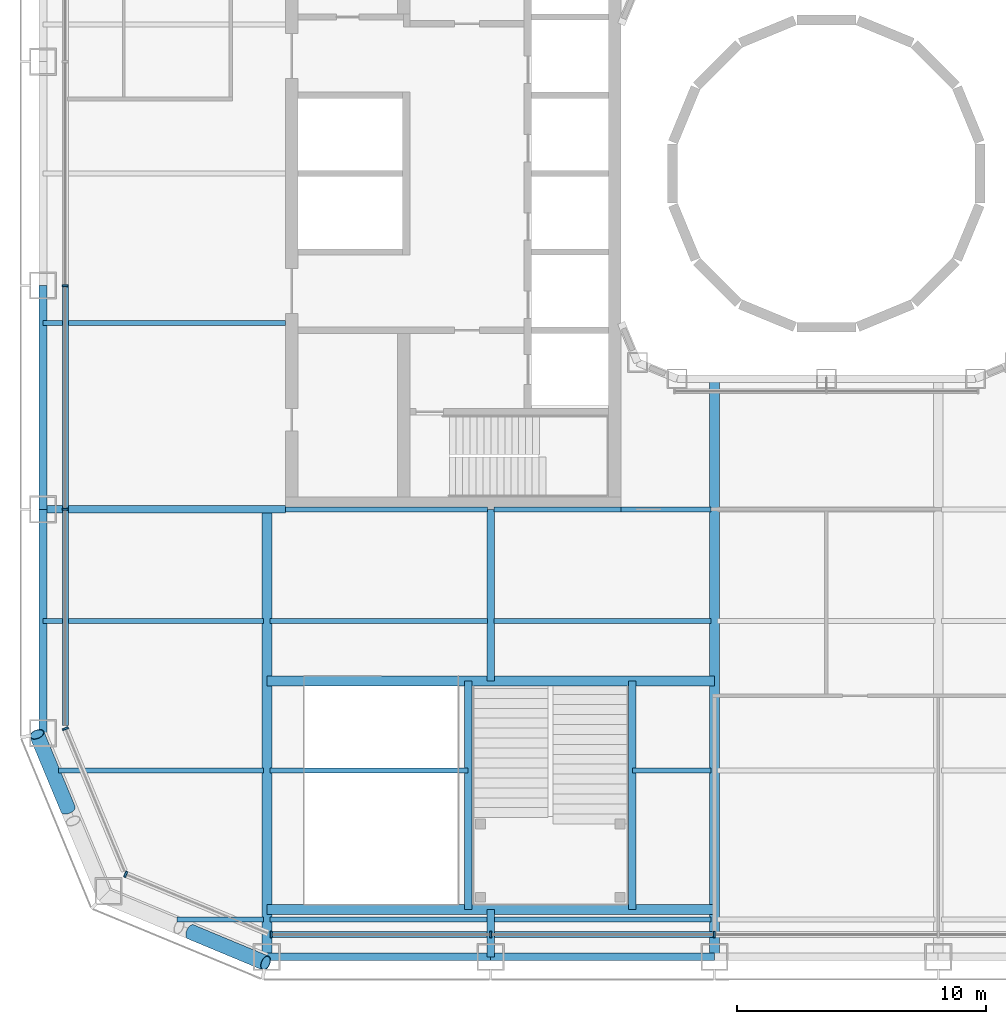
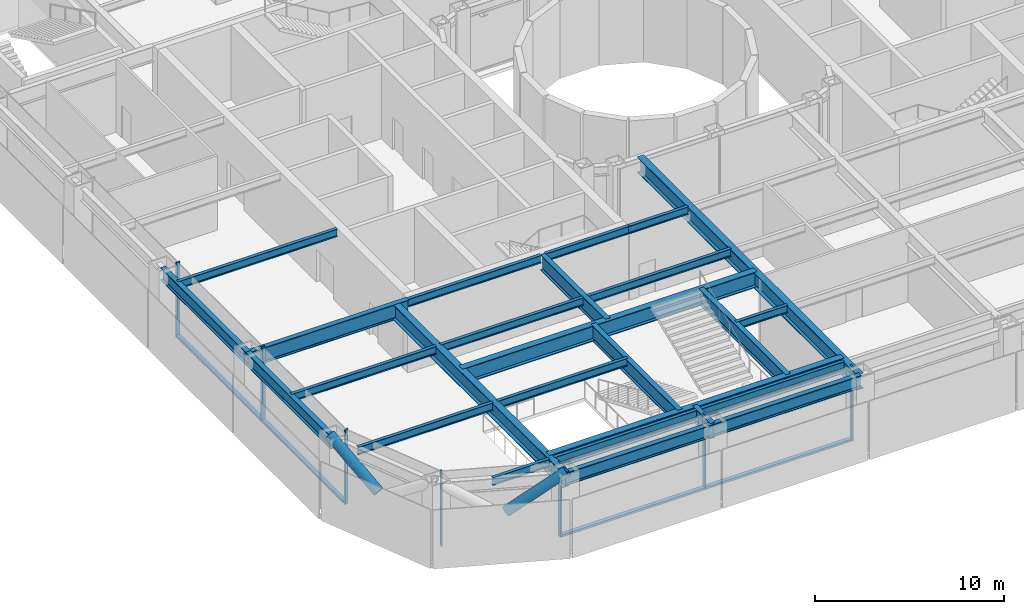
# One storey, part 2 of 25: 26 beams, 13 members, 4 elements without a shape of their own.
"""IFC4 building model written with IfcOpenShell, lengths in metres."""

from ifc_helpers import new_model, si_unit, direction, frame, origin, origin_2d, place, context, subcontext, project, spatial, rectangle, hollow_circle, i_section, extrude, material, layer, layer_set, material_profile, profile_set, type_object, element, aggregate, save


model = new_model("IFC4")

# Units and contexts
model_context = context("Model", 3, precision=1e-05, world=origin(), true_north=direction((0.0, 1.0)))
body_context = subcontext(model_context, "Body", "Model", "MODEL_VIEW")
ifc_project = project(units=[si_unit("LENGTHUNIT", "METRE"), si_unit("AREAUNIT", "SQUARE_METRE"), si_unit("VOLUMEUNIT", "CUBIC_METRE"), si_unit("PLANEANGLEUNIT", "RADIAN"), si_unit("MASSUNIT", "GRAM", prefix="KILO")], contexts=[model_context])

# Site, building, storey
site_placement = place(None, origin())
site = spatial("IfcSite", under=ifc_project, at=site_placement, CompositionType="ELEMENT")
building_placement = place(site_placement, origin())
building = spatial("IfcBuilding", under=site, at=building_placement, Name="Siwar Civic Tower", CompositionType="ELEMENT")
storey_placement = place(building_placement, frame((0.0, 0.0, 7.199951171875)))
storey = spatial("IfcBuildingStorey", under=building, at=storey_placement, Name="L01", CompositionType="ELEMENT", Elevation=7.199951171875)

# Curtain wall, members
ifc_material_1 = material(Name="Aluminium and glass", Category="aluminium")
ifc_layer_1 = layer(ifc_material_1, 0.25)
ifc_layer_set_1 = layer_set([ifc_layer_1], Name="Aluminium and glass")
curtain_wall_type_1 = type_object("IfcCurtainWallType", Name="ENV-CW-H", PredefinedType="NOTDEFINED", material=ifc_layer_set_1)
curtain_wall_1_placement = place(storey_placement, origin())
curtain_wall_1 = element("IfcCurtainWall", 1, at=curtain_wall_1_placement, inside=storey, type_object=curtain_wall_type_1, Name="Curtain wall H S", PredefinedType="NOTDEFINED")
ifc_material_2 = material(Name="Aluminium 6063-T6", Category="aluminium")
ifc_material_profile_1 = material_profile(ifc_material_2, rectangle(XDim=0.25, YDim=0.080078125, at=origin_2d()), Name="AL 250x80")
ifc_profile_set_1 = profile_set([ifc_material_profile_1], Name="Aluminium 6063-T6")
member_type_1 = type_object("IfcMemberType", Name="ENV-MULLION-H", PredefinedType="MULLION", material=ifc_profile_set_1)
member_1_placement = place(storey_placement, frame((-22.321044921875, -30.60009765625, 0.0), z_axis=(0.0, 0.0, 1.0), x_axis=(0.0, 1.0, 0.0)))
member_1 = element("IfcMember", 2, at=member_1_placement, type_object=member_type_1, Name="Mullion H S 1", PredefinedType="MULLION", context=body_context, shape_type="SweptSolid", body=[
    extrude(rectangle(XDim=0.25, YDim=0.080078125, at=origin_2d()), origin(), (0.0, 0.0, 1.0), 4.800048828125),
])
member_2_placement = place(storey_placement, frame((-13.5, -30.60009765625, 0.0), z_axis=(0.0, 0.0, 1.0), x_axis=(0.0, 1.0, 0.0)))
member_2 = element("IfcMember", 3, at=member_2_placement, type_object=member_type_1, Name="Mullion H S 2", PredefinedType="MULLION", context=body_context, shape_type="SweptSolid", body=[
    extrude(rectangle(XDim=0.25, YDim=0.080078125, at=origin_2d()), origin(), (0.0, 0.0, 1.0), 4.800048828125),
])
member_3_placement = place(storey_placement, frame((-4.5, -30.60009765625, 0.0), z_axis=(0.0, 0.0, 1.0), x_axis=(0.0, 1.0, 0.0)))
member_3 = element("IfcMember", 4, at=member_3_placement, type_object=member_type_1, Name="Mullion H S 3", PredefinedType="MULLION", context=body_context, shape_type="SweptSolid", body=[
    extrude(rectangle(XDim=0.25, YDim=0.080078125, at=origin_2d()), origin(), (0.0, 0.0, 1.0), 4.800048828125),
])

curtain_wall_2_placement = place(storey_placement, origin())
curtain_wall_2 = element("IfcCurtainWall", 5, at=curtain_wall_2_placement, inside=storey, type_object=curtain_wall_type_1, Name="Curtain wall H W", PredefinedType="NOTDEFINED")
member_4_placement = place(storey_placement, frame((-30.60009765625, -4.5, 0.0), z_axis=(0.0, 0.0, 1.0), x_axis=(1.0, 0.0, 0.0)))
member_4 = element("IfcMember", 6, at=member_4_placement, type_object=member_type_1, Name="Mullion H W 4", PredefinedType="MULLION", context=body_context, shape_type="SweptSolid", body=[
    extrude(rectangle(XDim=0.25, YDim=0.080078125, at=origin_2d()), origin(), (0.0, 0.0, 1.0), 4.800048828125),
])
member_5_placement = place(storey_placement, frame((-30.60009765625, -13.5, 0.0), z_axis=(0.0, 0.0, 1.0), x_axis=(1.0, 0.0, 0.0)))
member_5 = element("IfcMember", 7, at=member_5_placement, type_object=member_type_1, Name="Mullion H W 5", PredefinedType="MULLION", context=body_context, shape_type="SweptSolid", body=[
    extrude(rectangle(XDim=0.25, YDim=0.080078125, at=origin_2d()), origin(), (0.0, 0.0, 1.0), 4.800048828125),
])

# Curtain wall, member
ifc_material_3 = material(Name="Aluminium clad insulated panel", Category="aluminium")
ifc_layer_2 = layer(ifc_material_3, 0.25)
ifc_layer_set_2 = layer_set([ifc_layer_2], Name="Aluminium clad insulated panel")
curtain_wall_type_2 = type_object("IfcCurtainWallType", Name="ENV-CW-HX", PredefinedType="NOTDEFINED", material=ifc_layer_set_2)
curtain_wall_3_placement = place(storey_placement, origin())
curtain_wall_3 = element("IfcCurtainWall", 8, at=curtain_wall_3_placement, inside=storey, type_object=curtain_wall_type_2, Name="Curtain wall H SW1", PredefinedType="NOTDEFINED")
member_6_placement = place(storey_placement, frame((-30.60009765625, -22.321044921875, 0.0), z_axis=(0.0, 0.0, 1.0), x_axis=(0.923879532511, 0.382683432365, 0.0)))
member_6 = element("IfcMember", 9, at=member_6_placement, type_object=member_type_1, Name="Mullion H SW1 1", PredefinedType="MULLION", context=body_context, shape_type="SweptSolid", body=[
    extrude(rectangle(XDim=0.25, YDim=0.080078125, at=origin_2d()), origin(), (0.0, 0.0, 1.0), 4.800048828125),
])
aggregate(curtain_wall_3, [member_6])

curtain_wall_4_placement = place(storey_placement, origin())
curtain_wall_4 = element("IfcCurtainWall", 10, at=curtain_wall_4_placement, inside=storey, type_object=curtain_wall_type_2, Name="Curtain wall H SW2", PredefinedType="NOTDEFINED")
member_7_placement = place(storey_placement, frame((-28.175048828125, -28.175048828125, 0.0), z_axis=(0.0, 0.0, 1.0), x_axis=(0.382683432365, 0.923879532511, 0.0)))
member_7 = element("IfcMember", 11, at=member_7_placement, type_object=member_type_1, Name="Mullion H SW2 1", PredefinedType="MULLION", context=body_context, shape_type="SweptSolid", body=[
    extrude(rectangle(XDim=0.25, YDim=0.080078125, at=origin_2d()), origin(), (0.0, 0.0, 1.0), 4.800048828125),
])
aggregate(curtain_wall_4, [member_7])

# Member
ifc_material_4 = material(Name="Aluminium 6063-T6", Category="aluminium")
ifc_material_profile_2 = material_profile(ifc_material_4, rectangle(XDim=0.25, YDim=0.139892578125, at=origin_2d()), Name="AL 250x140")
ifc_profile_set_2 = profile_set([ifc_material_profile_2], Name="Aluminium 6063-T6")
member_type_2 = type_object("IfcMemberType", Name="ENV-TRANSOM-H", PredefinedType="USERDEFINED", material=ifc_profile_set_2)
member_8_placement = place(storey_placement, frame((-22.281005859375, -30.60009765625, 0.070068359375), z_axis=(1.0, 0.0, 0.0), x_axis=(0.0, 1.0, 0.0)))
member_8 = element("IfcMember", 12, at=member_8_placement, type_object=member_type_2, Name="Transom H S 1", ObjectType="TRANSOM", PredefinedType="USERDEFINED", context=body_context, shape_type="SweptSolid", body=[
    extrude(rectangle(XDim=0.25, YDim=0.139892578125, at=origin_2d()), origin(), (0.0, 0.0, 1.0), 8.740966796875),
])

member_9_placement = place(storey_placement, frame((-13.4599609375, -30.60009765625, 0.070068359375), z_axis=(1.0, 0.0, 0.0), x_axis=(0.0, 1.0, 0.0)))
member_9 = element("IfcMember", 13, at=member_9_placement, type_object=member_type_2, Name="Transom H S 2", ObjectType="TRANSOM", PredefinedType="USERDEFINED", context=body_context, shape_type="SweptSolid", body=[
    extrude(rectangle(XDim=0.25, YDim=0.139892578125, at=origin_2d()), origin(), (0.0, 0.0, 1.0), 8.919921875),
])

aggregate(curtain_wall_1, [member_1, member_2, member_3, member_8, member_9])

member_10_placement = place(storey_placement, frame((-30.60009765625, -4.5400390625, 0.070068359375), z_axis=(0.0, -1.0, 0.0), x_axis=(1.0, 0.0, 0.0)))
member_10 = element("IfcMember", 14, at=member_10_placement, type_object=member_type_2, Name="Transom H W 4", ObjectType="TRANSOM", PredefinedType="USERDEFINED", context=body_context, shape_type="SweptSolid", body=[
    extrude(rectangle(XDim=0.25, YDim=0.139892578125, at=origin_2d()), origin(), (0.0, 0.0, 1.0), 8.919921875),
])

member_11_placement = place(storey_placement, frame((-30.60009765625, -13.5400390625, 0.070068359375), z_axis=(0.0, -1.0, 0.0), x_axis=(1.0, 0.0, 0.0)))
member_11 = element("IfcMember", 15, at=member_11_placement, type_object=member_type_2, Name="Transom H W 5", ObjectType="TRANSOM", PredefinedType="USERDEFINED", context=body_context, shape_type="SweptSolid", body=[
    extrude(rectangle(XDim=0.25, YDim=0.139892578125, at=origin_2d()), origin(), (0.0, 0.0, 1.0), 8.644287109375),
])

aggregate(curtain_wall_2, [member_4, member_5, member_10, member_11])

# Members
ifc_material_5 = material(Name="Steel S355", Category="steel")
ifc_material_profile_3 = material_profile(ifc_material_5, hollow_circle(Radius=0.304931640625, WallThickness=0.030029296875, at=origin_2d()), Name="CHS610x30")
ifc_profile_set_3 = profile_set([ifc_material_profile_3], Name="Steel S355")
member_type_3 = type_object("IfcMemberType", Name="STR-BR-CHS610x30", PredefinedType="BRACE", material=ifc_profile_set_3)
for number, where, z_axis, x_axis, name in (
    (16, (-25.5556640625, -30.49267578125, 2.684326171875), (0.752367191316, -0.313384515382, 0.57942536616), (0.384508939914, 0.923121267833, 0.0), "L01/brc/ASW1-0-0-3"),
    (17, (-30.49267578125, -25.5556640625, 2.684326171875), (-0.313384515382, 0.752367191316, 0.57942536616), (-0.923121267833, -0.384508939914, 0.0), "L01/brc/ASW1-0-0-5"),
):
    element("IfcMember", number, at=place(storey_placement, frame(where, z_axis=z_axis, x_axis=x_axis)), inside=storey, type_object=member_type_3, Name=name, PredefinedType="BRACE", context=body_context, shape_type="SweptSolid", body=[
        extrude(hollow_circle(Radius=0.304931640625, WallThickness=0.030029296875, at=origin_2d()), origin(), (0.0, 0.0, 1.0), 3.99658203125),
    ])

# Beams
ifc_material_6 = material(Name="Steel S355", Category="steel")
ifc_material_profile_4 = material_profile(ifc_material_6, i_section(OverallWidth=0.199951171875, OverallDepth=0.5, WebThickness=0.01025390625, FlangeThickness=0.01611328125, FilletRadius=0.02099609375, at=origin_2d()), Name="IPE500")
ifc_profile_set_4 = profile_set([ifc_material_profile_4], Name="Steel S355")
beam_type_1 = type_object("IfcBeamType", Name="STR-FB-IPE500", PredefinedType="JOIST", material=ifc_profile_set_4)
beam_1_placement = place(storey_placement, frame((-26.121337890625, -30.0, 4.550048828125), z_axis=(1.0, 0.0, 0.0), x_axis=(0.0, 1.0, 0.0)))
element("IfcBeam", 18, at=beam_1_placement, inside=storey, type_object=beam_type_1, Name="L01/bm/F001", PredefinedType="JOIST", context=body_context, shape_type="SweptSolid", body=[
    extrude(i_section(OverallWidth=0.199951171875, OverallDepth=0.5, WebThickness=0.01025390625, FlangeThickness=0.01611328125, FilletRadius=0.02099609375, at=origin_2d()), origin(), (0.0, 0.0, 1.0), 3.491455078125),
])
for number, where, z_axis, x_axis, name in (
    (19, (-22.3701171875, -30.0, 4.550048828125), (1.0, 0.0, 0.0), (0.0, 1.0, 0.0), "L01/bm/F002"),
    (20, (-13.3701171875, -30.0, 4.550048828125), (1.0, 0.0, 0.0), (0.0, 1.0, 0.0), "L01/bm/F003"),
):
    element("IfcBeam", number, at=place(storey_placement, frame(where, z_axis=z_axis, x_axis=x_axis)), inside=storey, type_object=beam_type_1, Name=name, PredefinedType="JOIST", context=body_context, shape_type="SweptSolid", body=[
        extrude(i_section(OverallWidth=0.199951171875, OverallDepth=0.5, WebThickness=0.01025390625, FlangeThickness=0.01611328125, FilletRadius=0.02099609375, at=origin_2d()), origin(), (0.0, 0.0, 1.0), 8.740234375),
    ])
beam_2_placement = place(storey_placement, frame((-30.878662109375, -24.0, 4.550048828125), z_axis=(1.0, 0.0, 0.0), x_axis=(0.0, 1.0, 0.0)))
element("IfcBeam", 21, at=beam_2_placement, inside=storey, type_object=beam_type_1, Name="L01/bm/F008", PredefinedType="JOIST", context=body_context, shape_type="SweptSolid", body=[
    extrude(i_section(OverallWidth=0.199951171875, OverallDepth=0.5, WebThickness=0.01025390625, FlangeThickness=0.01611328125, FilletRadius=0.02099609375, at=origin_2d()), origin(), (0.0, 0.0, 1.0), 8.248779296875),
])
beam_3_placement = place(storey_placement, frame((-22.3701171875, -24.0, 4.550048828125), z_axis=(1.0, 0.0, 0.0), x_axis=(0.0, 1.0, 0.0)))
element("IfcBeam", 22, at=beam_3_placement, inside=storey, type_object=beam_type_1, Name="L01/bm/F009", PredefinedType="JOIST", context=body_context, shape_type="SweptSolid", body=[
    extrude(i_section(OverallWidth=0.199951171875, OverallDepth=0.5, WebThickness=0.01025390625, FlangeThickness=0.01611328125, FilletRadius=0.02099609375, at=origin_2d()), origin(), (0.0, 0.0, 1.0), 7.97021484375),
])
beam_4_placement = place(storey_placement, frame((-7.800048828125, -24.0, 4.550048828125), z_axis=(1.0, 0.0, 0.0), x_axis=(0.0, 1.0, 0.0)))
element("IfcBeam", 23, at=beam_4_placement, inside=storey, type_object=beam_type_1, Name="L01/bm/F010", PredefinedType="JOIST", context=body_context, shape_type="SweptSolid", body=[
    extrude(i_section(OverallWidth=0.199951171875, OverallDepth=0.5, WebThickness=0.01025390625, FlangeThickness=0.01611328125, FilletRadius=0.02099609375, at=origin_2d()), origin(), (0.0, 0.0, 1.0), 3.170166015625),
])
beam_5_placement = place(storey_placement, frame((-31.5, -18.0, 4.550048828125), z_axis=(1.0, 0.0, 0.0), x_axis=(0.0, 1.0, 0.0)))
element("IfcBeam", 24, at=beam_5_placement, inside=storey, type_object=beam_type_1, Name="L01/bm/F014", PredefinedType="JOIST", context=body_context, shape_type="SweptSolid", body=[
    extrude(i_section(OverallWidth=0.199951171875, OverallDepth=0.5, WebThickness=0.01025390625, FlangeThickness=0.01611328125, FilletRadius=0.02099609375, at=origin_2d()), origin(), (0.0, 0.0, 1.0), 8.8701171875),
])
for number, where, z_axis, x_axis, name in (
    (25, (-22.3701171875, -18.0, 4.550048828125), (1.0, 0.0, 0.0), (0.0, 1.0, 0.0), "L01/bm/F015"),
    (26, (-13.3701171875, -18.0, 4.550048828125), (1.0, 0.0, 0.0), (0.0, 1.0, 0.0), "L01/bm/F016"),
):
    element("IfcBeam", number, at=place(storey_placement, frame(where, z_axis=z_axis, x_axis=x_axis)), inside=storey, type_object=beam_type_1, Name=name, PredefinedType="JOIST", context=body_context, shape_type="SweptSolid", body=[
        extrude(i_section(OverallWidth=0.199951171875, OverallDepth=0.5, WebThickness=0.01025390625, FlangeThickness=0.01611328125, FilletRadius=0.02099609375, at=origin_2d()), origin(), (0.0, 0.0, 1.0), 8.740234375),
    ])
beam_6_placement = place(storey_placement, frame((-21.75, -13.5, 4.550048828125), z_axis=(1.0, 0.0, 0.0), x_axis=(0.0, 1.0, 0.0)))
element("IfcBeam", 27, at=beam_6_placement, inside=storey, type_object=beam_type_1, Name="L01/bm/F021", PredefinedType="JOIST", context=body_context, shape_type="SweptSolid", body=[
    extrude(i_section(OverallWidth=0.199951171875, OverallDepth=0.5, WebThickness=0.01025390625, FlangeThickness=0.01611328125, FilletRadius=0.02099609375, at=origin_2d()), origin(), (0.0, 0.0, 1.0), 8.1201171875),
])
beam_7_placement = place(storey_placement, frame((-13.3701171875, -13.5, 4.550048828125), z_axis=(1.0, 0.0, 0.0), x_axis=(0.0, 1.0, 0.0)))
element("IfcBeam", 28, at=beam_7_placement, inside=storey, type_object=beam_type_1, Name="L01/bm/F022", PredefinedType="JOIST", context=body_context, shape_type="SweptSolid", body=[
    extrude(i_section(OverallWidth=0.199951171875, OverallDepth=0.5, WebThickness=0.01025390625, FlangeThickness=0.01611328125, FilletRadius=0.02099609375, at=origin_2d()), origin(), (0.0, 0.0, 1.0), 5.1201171875),
])
beam_8_placement = place(storey_placement, frame((-8.25, -13.5, 4.550048828125), z_axis=(1.0, 0.0, 0.0), x_axis=(0.0, 1.0, 0.0)))
element("IfcBeam", 29, at=beam_8_placement, inside=storey, type_object=beam_type_1, Name="L01/bm/F023", PredefinedType="JOIST", context=body_context, shape_type="SweptSolid", body=[
    extrude(i_section(OverallWidth=0.199951171875, OverallDepth=0.5, WebThickness=0.01025390625, FlangeThickness=0.01611328125, FilletRadius=0.02099609375, at=origin_2d()), origin(), (0.0, 0.0, 1.0), 3.6201171875),
])
beam_9_placement = place(storey_placement, frame((-31.5, -6.0, 4.550048828125), z_axis=(1.0, 0.0, 0.0), x_axis=(0.0, 1.0, 0.0)))
element("IfcBeam", 30, at=beam_9_placement, inside=storey, type_object=beam_type_1, Name="L01/bm/F029", PredefinedType="JOIST", context=body_context, shape_type="SweptSolid", body=[
    extrude(i_section(OverallWidth=0.199951171875, OverallDepth=0.5, WebThickness=0.01025390625, FlangeThickness=0.01611328125, FilletRadius=0.02099609375, at=origin_2d()), origin(), (0.0, 0.0, 1.0), 9.75),
])
ifc_material_7 = material(Name="Steel S355", Category="steel")
ifc_material_profile_5 = material_profile(ifc_material_7, i_section(OverallWidth=0.300048828125, OverallDepth=1.0, WebThickness=0.01904296875, FlangeThickness=0.035888671875, FilletRadius=0.030029296875, at=origin_2d()), Name="HEB1000")
ifc_profile_set_5 = profile_set([ifc_material_profile_5], Name="Steel S355")
beam_type_2 = type_object("IfcBeamType", Name="STR-PG-HEB1000", PredefinedType="BEAM", material=ifc_profile_set_5)
beam_10_placement = place(storey_placement, frame((-13.5, -31.5, 4.300048828125), z_axis=(0.0, 1.0, 0.0), x_axis=(-1.0, 0.0, 0.0)))
element("IfcBeam", 31, at=beam_10_placement, inside=storey, type_object=beam_type_2, Name="L01/bm/G03", PredefinedType="BEAM", context=body_context, shape_type="SweptSolid", body=[
    extrude(i_section(OverallWidth=0.300048828125, OverallDepth=1.0, WebThickness=0.01904296875, FlangeThickness=0.035888671875, FilletRadius=0.030029296875, at=origin_2d()), origin(), (0.0, 0.0, 1.0), 1.89990234375),
])
beam_11_placement = place(storey_placement, frame((-13.5, -20.39990234375, 4.300048828125), z_axis=(0.0, 1.0, 0.0), x_axis=(-1.0, 0.0, 0.0)))
element("IfcBeam", 32, at=beam_11_placement, inside=storey, type_object=beam_type_2, Name="L01/bm/G04", PredefinedType="BEAM", context=body_context, shape_type="SweptSolid", body=[
    extrude(i_section(OverallWidth=0.300048828125, OverallDepth=1.0, WebThickness=0.01904296875, FlangeThickness=0.035888671875, FilletRadius=0.030029296875, at=origin_2d()), origin(), (0.0, 0.0, 1.0), 6.89990234375),
])
for number, where, z_axis, x_axis, name in (
    (33, (-14.39990234375, -29.60009765625, 4.300048828125), (0.0, 1.0, 0.0), (-1.0, 0.0, 0.0), "L01/bm/T03"),
    (34, (-7.800048828125, -29.60009765625, 4.300048828125), (0.0, 1.0, 0.0), (-1.0, 0.0, 0.0), "L01/bm/T04"),
):
    element("IfcBeam", number, at=place(storey_placement, frame(where, z_axis=z_axis, x_axis=x_axis)), inside=storey, type_object=beam_type_2, Name=name, PredefinedType="BEAM", context=body_context, shape_type="SweptSolid", body=[
        extrude(i_section(OverallWidth=0.300048828125, OverallDepth=1.0, WebThickness=0.01904296875, FlangeThickness=0.035888671875, FilletRadius=0.030029296875, at=origin_2d()), origin(), (0.0, 0.0, 1.0), 9.2001953125),
    ])
beam_12_placement = place(storey_placement, frame((-31.5, -13.5, 4.300048828125), z_axis=(1.0, 0.0, 0.0), x_axis=(0.0, 1.0, 0.0)))
element("IfcBeam", 35, at=beam_12_placement, inside=storey, type_object=beam_type_2, Name="L01/bm/F020", PredefinedType="BEAM", context=body_context, shape_type="SweptSolid", body=[
    extrude(i_section(OverallWidth=0.300048828125, OverallDepth=1.0, WebThickness=0.01904296875, FlangeThickness=0.035888671875, FilletRadius=0.030029296875, at=origin_2d()), origin(), (0.0, 0.0, 1.0), 9.75),
])
ifc_material_8 = material(Name="Steel S355", Category="steel")
ifc_material_profile_6 = material_profile(ifc_material_8, i_section(OverallWidth=0.39990234375, OverallDepth=1.0, WebThickness=0.01611328125, FlangeThickness=0.0400390625, at=origin_2d()), Name="PG1000x400x16x40")
ifc_profile_set_6 = profile_set([ifc_material_profile_6], Name="Steel S355")
beam_type_3 = type_object("IfcBeamType", Name="STR-PG-PG1000x400x16x40", PredefinedType="BEAM", material=ifc_profile_set_6)
beam_13_placement = place(storey_placement, frame((-22.5, -31.5, 4.300048828125), z_axis=(0.0, 1.0, 0.0), x_axis=(-1.0, 0.0, 0.0)))
element("IfcBeam", 36, at=beam_13_placement, inside=storey, type_object=beam_type_3, Name="L01/bm/G01", PredefinedType="BEAM", context=body_context, shape_type="SweptSolid", body=[
    extrude(i_section(OverallWidth=0.39990234375, OverallDepth=1.0, WebThickness=0.01611328125, FlangeThickness=0.0400390625, at=origin_2d()), origin(), (0.0, 0.0, 1.0), 18.0),
])
beam_14_placement = place(storey_placement, frame((-4.5, -31.5, 4.300048828125), z_axis=(0.0, 1.0, 0.0), x_axis=(-1.0, 0.0, 0.0)))
element("IfcBeam", 37, at=beam_14_placement, inside=storey, type_object=beam_type_3, Name="L01/bm/G06", PredefinedType="BEAM", context=body_context, shape_type="SweptSolid", body=[
    extrude(i_section(OverallWidth=0.39990234375, OverallDepth=1.0, WebThickness=0.01611328125, FlangeThickness=0.0400390625, at=origin_2d()), origin(), (0.0, 0.0, 1.0), 23.25),
])
for number, where, z_axis, x_axis, name in (
    (38, (-22.5, -29.60009765625, 4.300048828125), (1.0, 0.0, 0.0), (0.0, 1.0, 0.0), "L01/bm/T01"),
    (39, (-22.5, -20.39990234375, 4.300048828125), (1.0, 0.0, 0.0), (0.0, 1.0, 0.0), "L01/bm/T02"),
):
    element("IfcBeam", number, at=place(storey_placement, frame(where, z_axis=z_axis, x_axis=x_axis)), inside=storey, type_object=beam_type_3, Name=name, PredefinedType="BEAM", context=body_context, shape_type="SweptSolid", body=[
        extrude(i_section(OverallWidth=0.39990234375, OverallDepth=1.0, WebThickness=0.01611328125, FlangeThickness=0.0400390625, at=origin_2d()), origin(), (0.0, 0.0, 1.0), 18.0),
    ])
ifc_material_9 = material(Name="Steel S355", Category="steel")
ifc_material_profile_7 = material_profile(ifc_material_9, i_section(OverallWidth=0.302978515625, OverallDepth=0.81396484375, WebThickness=0.02099609375, FlangeThickness=0.0400390625, FilletRadius=0.030029296875, at=origin_2d()), Name="HEM800")
ifc_profile_set_7 = profile_set([ifc_material_profile_7], Name="Steel S355")
beam_type_4 = type_object("IfcBeamType", Name="STR-SB-HEM800", PredefinedType="BEAM", material=ifc_profile_set_7)
for number, where, z_axis, x_axis, name in (
    (40, (-22.5, -31.5, 4.39306640625), (1.0, 0.0, 0.0), (0.0, 1.0, 0.0), "L01/bm/SS-0"),
    (41, (-13.5, -31.5, 4.39306640625), (1.0, 0.0, 0.0), (0.0, 1.0, 0.0), "L01/bm/SS-1"),
    (42, (-31.5, -4.5, 4.39306640625), (0.0, -1.0, 0.0), (1.0, 0.0, 0.0), "L01/bm/SW-3"),
    (43, (-31.5, -13.5, 4.39306640625), (0.0, -1.0, 0.0), (1.0, 0.0, 0.0), "L01/bm/SW-4"),
):
    element("IfcBeam", number, at=place(storey_placement, frame(where, z_axis=z_axis, x_axis=x_axis)), inside=storey, type_object=beam_type_4, Name=name, PredefinedType="BEAM", context=body_context, shape_type="SweptSolid", body=[
        extrude(i_section(OverallWidth=0.302978515625, OverallDepth=0.81396484375, WebThickness=0.02099609375, FlangeThickness=0.0400390625, FilletRadius=0.030029296875, at=origin_2d()), origin(), (0.0, 0.0, 1.0), 9.0),
    ])

save(model, "model.ifc")
